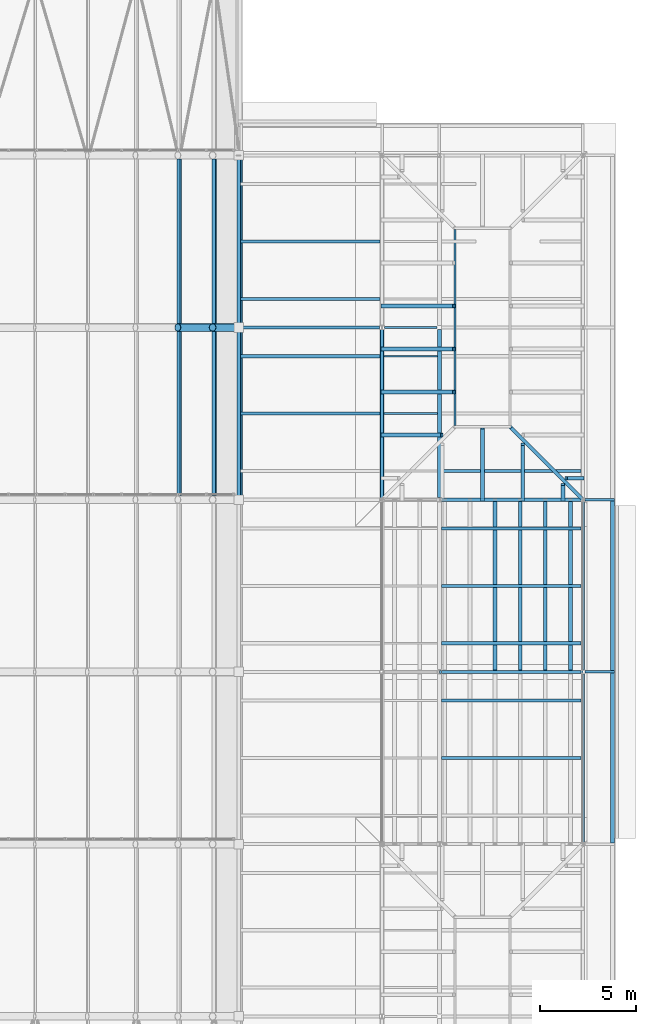
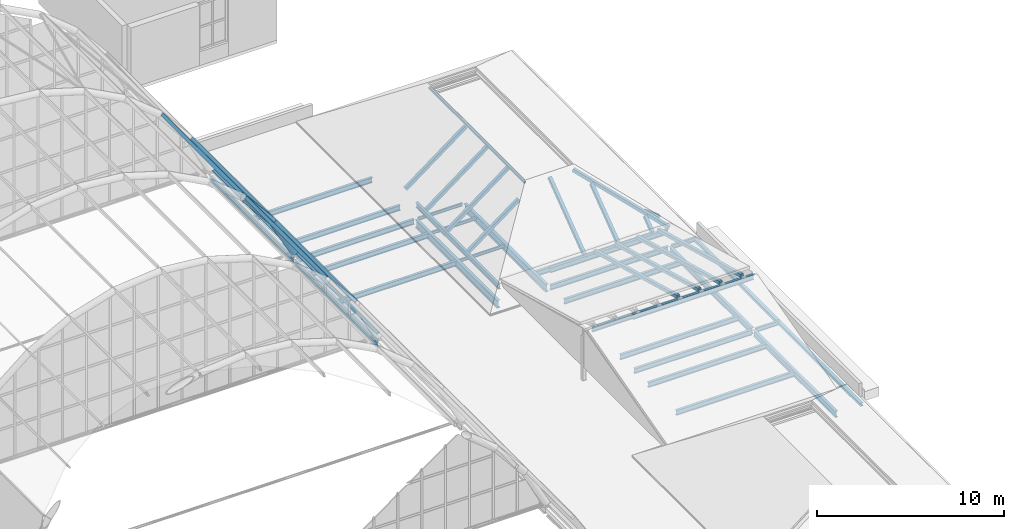
# One storey, part 46 of 121: 29 beams, 22 members.
"""IFC4 building model written with IfcOpenShell, lengths in metres."""

from ifc_helpers import new_model, si_unit, direction, frame, origin, origin_2d, place, context, subcontext, project, spatial, hollow_rectangle, hollow_circle, i_section, extrude, material, material_profile, profile_set, type_object, element, save


model = new_model("IFC4")

# Units and contexts
model_context = context("Model", 3, precision=1e-05, world=origin(), true_north=direction((0.0, 1.0)))
body_context = subcontext(model_context, "Body", "Model", "MODEL_VIEW")
ifc_project = project(units=[si_unit("LENGTHUNIT", "METRE"), si_unit("AREAUNIT", "SQUARE_METRE"), si_unit("VOLUMEUNIT", "CUBIC_METRE"), si_unit("PLANEANGLEUNIT", "RADIAN"), si_unit("MASSUNIT", "GRAM", prefix="KILO")], contexts=[model_context])

# Site, building, storey
site_placement = place(None, origin())
site = spatial("IfcSite", under=ifc_project, at=site_placement, CompositionType="ELEMENT")
building_placement = place(site_placement, origin())
building = spatial("IfcBuilding", under=site, at=building_placement, Name="Golden Quay Civic Hall", CompositionType="ELEMENT")
storey_placement = place(building_placement, frame((0.0, 0.0, 18.60009765625)))
storey = spatial("IfcBuildingStorey", under=building, at=storey_placement, Name="L04", CompositionType="ELEMENT", Elevation=18.60009765625)

# Beams
ifc_material_1 = material(Name="Steel S355", Category="steel")
ifc_material_profile_1 = material_profile(ifc_material_1, i_section(OverallWidth=0.199951171875, OverallDepth=0.18994140625, WebThickness=0.006591796875, FlangeThickness=0.010009765625, FilletRadius=0.01806640625, at=origin_2d()), Name="HEA 200")
ifc_profile_set_1 = profile_set([ifc_material_profile_1], Name="Steel S355")
beam_type_1 = type_object("IfcBeamType", Name="Eave edge beam HEA 200", PredefinedType="BEAM", material=ifc_profile_set_1)
for number, where, z_axis, x_axis, name in (
    (1, (118.550048828125, 18.0673828125, -0.34521484375), (0.0, 1.0, 0.0), (-1.0, 0.0, 0.0), "Eave edge beam HEA 200 L04 18"),
    (2, (118.550048828125, 27.0673828125, -0.34521484375), (0.0, 1.0, 0.0), (-1.0, 0.0, 0.0), "Eave edge beam HEA 200 L04 19"),
):
    element("IfcBeam", number, at=place(storey_placement, frame(where, z_axis=z_axis, x_axis=x_axis)), inside=storey, type_object=beam_type_1, Name=name, PredefinedType="BEAM", context=body_context, shape_type="SweptSolid", body=[
        extrude(i_section(OverallWidth=0.199951171875, OverallDepth=0.18994140625, WebThickness=0.006591796875, FlangeThickness=0.010009765625, FilletRadius=0.01806640625, at=origin_2d()), origin(), (0.0, 0.0, 1.0), 8.865234375),
    ])
ifc_material_2 = material(Name="Steel S355", Category="steel")
ifc_material_profile_2 = material_profile(ifc_material_2, i_section(OverallWidth=0.135009765625, OverallDepth=0.27001953125, WebThickness=0.006591796875, FlangeThickness=0.01025390625, FilletRadius=0.014892578125, at=origin_2d()), Name="IPE 270")
ifc_profile_set_2 = profile_set([ifc_material_profile_2], Name="Steel S355")
beam_type_2 = type_object("IfcBeamType", Name="Eave stub IPE 270", PredefinedType="BEAM", material=ifc_profile_set_2)
for number, where, z_axis, x_axis, name in (
    (3, (117.10009765625, 27.0, -0.385009765625), (1.0, 0.0, 0.0), (0.0, 1.0, 0.0), "Eave stub IPE 270 L04 23"),
    (4, (117.10009765625, 36.0, -0.385009765625), (1.0, 0.0, 0.0), (0.0, 1.0, 0.0), "Eave stub IPE 270 L04 24"),
):
    element("IfcBeam", number, at=place(storey_placement, frame(where, z_axis=z_axis, x_axis=x_axis)), inside=storey, type_object=beam_type_2, Name=name, PredefinedType="BEAM", context=body_context, shape_type="SweptSolid", body=[
        extrude(i_section(OverallWidth=0.135009765625, OverallDepth=0.27001953125, WebThickness=0.006591796875, FlangeThickness=0.01025390625, FilletRadius=0.014892578125, at=origin_2d()), origin(), (0.0, 0.0, 1.0), 1.5498046875),
    ])

# Members
ifc_material_3 = material(Name="Steel S355", Category="steel")
ifc_material_profile_3 = material_profile(ifc_material_3, hollow_circle(Radius=0.203125, WallThickness=0.01611328125, at=origin_2d()), Name="CHS 406.4x16")
ifc_profile_set_3 = profile_set([ifc_material_profile_3], Name="Steel S355")
member_type_1 = type_object("IfcMemberType", Name="Steel arch rib CHS 406.4x16", PredefinedType="USERDEFINED", material=ifc_profile_set_3)
for number, where, z_axis, x_axis, name in (
    (5, (95.826904296875, 45.0, 4.830810546875), (0.635608575128, 0.0, -0.772011489049), (0.0, 1.0, 0.0), "Arch rib 6 segment 11"),
    (6, (97.64599609375, 45.0, 2.621337890625), (0.473092307375, 0.0, -0.881012865231), (0.0, 1.0, 0.0), "Arch rib 6 segment 12"),
):
    element("IfcMember", number, at=place(storey_placement, frame(where, z_axis=z_axis, x_axis=x_axis)), inside=storey, type_object=member_type_1, Name=name, ObjectType="ARCH RIB", PredefinedType="USERDEFINED", context=body_context, shape_type="SweptSolid", body=[
        extrude(hollow_circle(Radius=0.203125, WallThickness=0.01611328125, at=origin_2d()), origin(), (0.0, 0.0, 1.0), 2.862060546875),
    ])

# Beams
ifc_material_4 = material(Name="Steel S355", Category="steel")
ifc_material_profile_4 = material_profile(ifc_material_4, i_section(OverallWidth=0.10009765625, OverallDepth=0.199951171875, WebThickness=0.005615234375, FlangeThickness=0.008544921875, FilletRadius=0.011962890625, at=origin_2d()), Name="IPE 200")
ifc_profile_set_4 = profile_set([ifc_material_profile_4], Name="Steel S355")
beam_type_3 = type_object("IfcBeamType", Name="Steel beam IPE 200", PredefinedType="BEAM", material=ifc_profile_set_4)
beam_1_placement = place(storey_placement, frame((106.6201171875, 45.0, -0.35009765625), z_axis=(1.0, 0.0, 0.0), x_axis=(0.0, 1.0, 0.0)))
element("IfcBeam", 7, at=beam_1_placement, inside=storey, type_object=beam_type_3, Name="Beam S45-106.5", PredefinedType="BEAM", context=body_context, shape_type="SweptSolid", body=[
    extrude(i_section(OverallWidth=0.10009765625, OverallDepth=0.199951171875, WebThickness=0.005615234375, FlangeThickness=0.008544921875, FilletRadius=0.011962890625, at=origin_2d()), origin(), (0.0, 0.0, 1.0), 2.759765625),
])
ifc_material_5 = material(Name="Steel S355", Category="steel")
ifc_material_profile_5 = material_profile(ifc_material_5, i_section(OverallWidth=0.159912109375, OverallDepth=0.330078125, WebThickness=0.007568359375, FlangeThickness=0.011474609375, FilletRadius=0.01806640625, at=origin_2d()), Name="IPE 330")
ifc_profile_set_5 = profile_set([ifc_material_profile_5], Name="Steel S355")
beam_type_4 = type_object("IfcBeamType", Name="Steel beam IPE 330", PredefinedType="BEAM", material=ifc_profile_set_5)
for number, where, z_axis, x_axis, name in (
    (8, (109.6201171875, 27.0, -0.4150390625), (1.0, 0.0, 0.0), (0.0, 1.0, 0.0), "Beam S27-109.5"),
    (9, (109.6201171875, 36.0, -0.4150390625), (1.0, 0.0, 0.0), (0.0, 1.0, 0.0), "Beam S36-109.5"),
    (10, (99.10009765625, 45.0, -0.4150390625), (1.0, 0.0, 0.0), (0.0, 1.0, 0.0), "Beam S45-99"),
):
    element("IfcBeam", number, at=place(storey_placement, frame(where, z_axis=z_axis, x_axis=x_axis)), inside=storey, type_object=beam_type_4, Name=name, PredefinedType="BEAM", context=body_context, shape_type="SweptSolid", body=[
        extrude(i_section(OverallWidth=0.159912109375, OverallDepth=0.330078125, WebThickness=0.007568359375, FlangeThickness=0.011474609375, FilletRadius=0.01806640625, at=origin_2d()), origin(), (0.0, 0.0, 1.0), 7.27978515625),
    ])
ifc_material_6 = material(Name="Steel S355", Category="steel")
ifc_material_profile_6 = material_profile(ifc_material_6, i_section(OverallWidth=0.179931640625, OverallDepth=0.39990234375, WebThickness=0.008544921875, FlangeThickness=0.013427734375, FilletRadius=0.02099609375, at=origin_2d()), Name="IPE 400")
ifc_profile_set_6 = profile_set([ifc_material_profile_6], Name="Steel S355")
beam_type_5 = type_object("IfcBeamType", Name="Steel beam IPE 400", PredefinedType="BEAM", material=ifc_profile_set_6)
for number, where, z_axis, x_axis, name in (
    (11, (99.0, 36.094970703125, -0.4501953125), (0.0, 1.0, 0.0), (-1.0, 0.0, 0.0), "Beam L99-36"),
    (12, (99.0, 45.094970703125, -0.4501953125), (0.0, 1.0, 0.0), (-1.0, 0.0, 0.0), "Beam L99-45"),
    (13, (117.0, 18.094970703125, -0.4501953125), (0.0, 1.0, 0.0), (-1.0, 0.0, 0.0), "Beam L117-18"),
    (14, (117.0, 27.094970703125, -0.4501953125), (0.0, 1.0, 0.0), (-1.0, 0.0, 0.0), "Beam L117-27"),
):
    element("IfcBeam", number, at=place(storey_placement, frame(where, z_axis=z_axis, x_axis=x_axis)), inside=storey, type_object=beam_type_5, Name=name, PredefinedType="BEAM", context=body_context, shape_type="SweptSolid", body=[
        extrude(i_section(OverallWidth=0.179931640625, OverallDepth=0.39990234375, WebThickness=0.008544921875, FlangeThickness=0.013427734375, FilletRadius=0.02099609375, at=origin_2d()), origin(), (0.0, 0.0, 1.0), 8.81005859375),
    ])
ifc_material_7 = material(Name="Steel S355", Category="steel")
ifc_material_profile_7 = material_profile(ifc_material_7, i_section(OverallWidth=0.199951171875, OverallDepth=0.5, WebThickness=0.01025390625, FlangeThickness=0.01611328125, FilletRadius=0.02099609375, at=origin_2d()), Name="IPE 500")
ifc_profile_set_7 = profile_set([ifc_material_profile_7], Name="Steel S355")
beam_type_6 = type_object("IfcBeamType", Name="Steel beam IPE 500", PredefinedType="BEAM", material=ifc_profile_set_7)
for number, where, z_axis, x_axis, name in (
    (15, (106.5, 36.114990234375, -0.5), (0.0, 1.0, 0.0), (-1.0, 0.0, 0.0), "Beam L106.5-36"),
    (16, (109.5, 36.114990234375, -0.5), (0.0, 1.0, 0.0), (-1.0, 0.0, 0.0), "Beam L109.5-36"),
):
    element("IfcBeam", number, at=place(storey_placement, frame(where, z_axis=z_axis, x_axis=x_axis)), inside=storey, type_object=beam_type_6, Name=name, PredefinedType="BEAM", context=body_context, shape_type="SweptSolid", body=[
        extrude(i_section(OverallWidth=0.199951171875, OverallDepth=0.5, WebThickness=0.01025390625, FlangeThickness=0.01611328125, FilletRadius=0.02099609375, at=origin_2d()), origin(), (0.0, 0.0, 1.0), 8.77001953125),
    ])

# Members
ifc_material_8 = material(Name="Steel S355", Category="steel")
ifc_material_profile_8 = material_profile(ifc_material_8, hollow_rectangle(XDim=0.199951171875, YDim=0.199951171875, WallThickness=0.010009765625, at=origin_2d()), Name="SHS 200x200x10")
ifc_profile_set_8 = profile_set([ifc_material_profile_8], Name="Steel S355")
member_type_2 = type_object("IfcMemberType", Name="Steel jack rafter SHS 200x200x10", PredefinedType="RAFTER", material=ifc_profile_set_8)
member_1_placement = place(storey_placement, frame((111.75, 36.0, 0.96484375), z_axis=(0.0, 0.8, 0.6), x_axis=(-1.0, 0.0, 0.0)))
element("IfcMember", 17, at=member_1_placement, inside=storey, type_object=member_type_2, Name="Jack rafter EM-N south 3", PredefinedType="RAFTER", context=body_context, shape_type="SweptSolid", body=[
    extrude(hollow_rectangle(XDim=0.199951171875, YDim=0.199951171875, WallThickness=0.010009765625, at=origin_2d()), origin(), (0.0, 0.0, 1.0), 4.6875),
])
member_2_placement = place(storey_placement, frame((113.85009765625, 36.0, 0.96484375), z_axis=(0.0, 0.799983835699, 0.600021551797), x_axis=(-1.0, 0.0, 0.0)))
element("IfcMember", 18, at=member_2_placement, inside=storey, type_object=member_type_2, Name="Jack rafter EM-N south 4", PredefinedType="RAFTER", context=body_context, shape_type="SweptSolid", body=[
    extrude(hollow_rectangle(XDim=0.199951171875, YDim=0.199951171875, WallThickness=0.010009765625, at=origin_2d()), origin(), (0.0, 0.0, 1.0), 3.625),
])
member_3_placement = place(storey_placement, frame((115.949951171875, 36.0, 0.96484375), z_axis=(0.0, 0.799970705032, 0.600039057971), x_axis=(-1.0, 0.0, 0.0)))
element("IfcMember", 19, at=member_3_placement, inside=storey, type_object=member_type_2, Name="Jack rafter EM-N south 5", PredefinedType="RAFTER", context=body_context, shape_type="SweptSolid", body=[
    extrude(hollow_rectangle(XDim=0.199951171875, YDim=0.199951171875, WallThickness=0.010009765625, at=origin_2d()), origin(), (0.0, 0.0, 1.0), 1.0),
])
member_4_placement = place(storey_placement, frame((106.5, 39.375, 0.96484375), z_axis=(0.8, 0.0, 0.6), x_axis=(0.0, 1.0, 0.0)))
element("IfcMember", 20, at=member_4_placement, inside=storey, type_object=member_type_2, Name="Jack rafter EM-N west 2", PredefinedType="RAFTER", context=body_context, shape_type="SweptSolid", body=[
    extrude(hollow_rectangle(XDim=0.199951171875, YDim=0.199951171875, WallThickness=0.010009765625, at=origin_2d()), origin(), (0.0, 0.0, 1.0), 3.90625),
])
for number, where, z_axis, x_axis, name in (
    (21, (106.5, 41.625, 0.96484375), (0.8, 0.0, 0.6), (0.0, 1.0, 0.0), "Jack rafter EM-N west 3"),
    (22, (106.5, 43.875, 0.96484375), (0.8, 0.0, 0.6), (0.0, 1.0, 0.0), "Jack rafter EM-N west 4"),
    (23, (106.5, 46.125, 0.96484375), (0.8, 0.0, 0.6), (0.0, 1.0, 0.0), "Jack rafter EM-N west 5"),
):
    element("IfcMember", number, at=place(storey_placement, frame(where, z_axis=z_axis, x_axis=x_axis)), inside=storey, type_object=member_type_2, Name=name, PredefinedType="RAFTER", context=body_context, shape_type="SweptSolid", body=[
        extrude(hollow_rectangle(XDim=0.199951171875, YDim=0.199951171875, WallThickness=0.010009765625, at=origin_2d()), origin(), (0.0, 0.0, 1.0), 4.6875),
    ])
member_5_placement = place(storey_placement, frame((117.0, 37.125, 0.96484375), z_axis=(-0.8, 0.0, 0.6), x_axis=(0.0, -1.0, 0.0)))
element("IfcMember", 24, at=member_5_placement, inside=storey, type_object=member_type_2, Name="Jack rafter EM-N east 1", PredefinedType="RAFTER", context=body_context, shape_type="SweptSolid", body=[
    extrude(hollow_rectangle(XDim=0.199951171875, YDim=0.199951171875, WallThickness=0.010009765625, at=origin_2d()), origin(), (0.0, 0.0, 1.0), 1.09375),
])
for number, where, z_axis, x_axis, name in (
    (25, (112.40625, 36.0, 0.988525390625), (0.0, -0.965021507217, 0.262170727977), (1.0, 0.0, 0.0), "Gable rafter north 5"),
    (26, (113.71875, 36.0, 0.988525390625), (0.0, -0.965021507217, 0.262170727977), (1.0, 0.0, 0.0), "Gable rafter north 6"),
    (27, (115.03125, 36.0, 0.988525390625), (0.0, -0.965021507217, 0.262170727977), (1.0, 0.0, 0.0), "Gable rafter north 7"),
    (28, (116.34375, 36.0, 0.988525390625), (0.0, -0.965021507217, 0.262170727977), (1.0, 0.0, 0.0), "Gable rafter north 8"),
):
    element("IfcMember", number, at=place(storey_placement, frame(where, z_axis=z_axis, x_axis=x_axis)), inside=storey, type_object=member_type_2, Name=name, PredefinedType="RAFTER", context=body_context, shape_type="SweptSolid", body=[
        extrude(hollow_rectangle(XDim=0.199951171875, YDim=0.199951171875, WallThickness=0.010009765625, at=origin_2d()), origin(), (0.0, 0.0, 1.0), 9.253662109375),
    ])

# Beams
ifc_material_9 = material(Name="Steel S355", Category="steel")
ifc_material_profile_9 = material_profile(ifc_material_9, i_section(OverallWidth=0.10009765625, OverallDepth=0.199951171875, WebThickness=0.005615234375, FlangeThickness=0.008544921875, FilletRadius=0.011962890625, at=origin_2d()), Name="IPE 200")
ifc_profile_set_9 = profile_set([ifc_material_profile_9], Name="Steel S355")
beam_type_7 = type_object("IfcBeamType", Name="Steel joist IPE 200", PredefinedType="JOIST", material=ifc_profile_set_9)
for number, where, z_axis, x_axis, name in (
    (29, (106.60009765625, 40.5, -0.35009765625), (1.0, 0.0, 0.0), (0.0, 1.0, 0.0), "Joist J40.5-106.5"),
    (30, (106.60009765625, 43.5, -0.35009765625), (1.0, 0.0, 0.0), (0.0, 1.0, 0.0), "Joist J43.5-106.5"),
):
    element("IfcBeam", number, at=place(storey_placement, frame(where, z_axis=z_axis, x_axis=x_axis)), inside=storey, type_object=beam_type_7, Name=name, PredefinedType="JOIST", context=body_context, shape_type="SweptSolid", body=[
        extrude(i_section(OverallWidth=0.10009765625, OverallDepth=0.199951171875, WebThickness=0.005615234375, FlangeThickness=0.008544921875, FilletRadius=0.011962890625, at=origin_2d()), origin(), (0.0, 0.0, 1.0), 2.7998046875),
    ])
ifc_material_10 = material(Name="Steel S355", Category="steel")
ifc_material_profile_10 = material_profile(ifc_material_10, i_section(OverallWidth=0.159912109375, OverallDepth=0.330078125, WebThickness=0.007568359375, FlangeThickness=0.011474609375, FilletRadius=0.01806640625, at=origin_2d()), Name="IPE 330")
ifc_profile_set_10 = profile_set([ifc_material_profile_10], Name="Steel S355")
beam_type_8 = type_object("IfcBeamType", Name="Steel joist IPE 330", PredefinedType="JOIST", material=ifc_profile_set_10)
for number, where, z_axis, x_axis, name in (
    (31, (109.60009765625, 22.5, -0.4150390625), (1.0, 0.0, 0.0), (0.0, 1.0, 0.0), "Joist J22.5-109.5"),
    (32, (109.60009765625, 25.5, -0.4150390625), (1.0, 0.0, 0.0), (0.0, 1.0, 0.0), "Joist J25.5-109.5"),
    (33, (109.60009765625, 28.5, -0.4150390625), (1.0, 0.0, 0.0), (0.0, 1.0, 0.0), "Joist J28.5-109.5"),
    (34, (109.60009765625, 31.5, -0.4150390625), (1.0, 0.0, 0.0), (0.0, 1.0, 0.0), "Joist J31.5-109.5"),
    (35, (109.60009765625, 34.5, -0.4150390625), (1.0, 0.0, 0.0), (0.0, 1.0, 0.0), "Joist J34.5-109.5"),
    (36, (109.60009765625, 37.5, -0.4150390625), (1.0, 0.0, 0.0), (0.0, 1.0, 0.0), "Joist J37.5-109.5"),
    (37, (99.090087890625, 40.5, -0.4150390625), (1.0, 0.0, 0.0), (0.0, 1.0, 0.0), "Joist J40.5-99"),
    (38, (99.090087890625, 43.5, -0.4150390625), (1.0, 0.0, 0.0), (0.0, 1.0, 0.0), "Joist J43.5-99"),
    (39, (99.090087890625, 46.5, -0.4150390625), (1.0, 0.0, 0.0), (0.0, 1.0, 0.0), "Joist J46.5-99"),
    (40, (99.090087890625, 49.5, -0.4150390625), (1.0, 0.0, 0.0), (0.0, 1.0, 0.0), "Joist J49.5-99"),
):
    element("IfcBeam", number, at=place(storey_placement, frame(where, z_axis=z_axis, x_axis=x_axis)), inside=storey, type_object=beam_type_8, Name=name, PredefinedType="JOIST", context=body_context, shape_type="SweptSolid", body=[
        extrude(i_section(OverallWidth=0.159912109375, OverallDepth=0.330078125, WebThickness=0.007568359375, FlangeThickness=0.011474609375, FilletRadius=0.01806640625, at=origin_2d()), origin(), (0.0, 0.0, 1.0), 7.309814453125),
    ])

# Members
ifc_material_11 = material(Name="Steel S355", Category="steel")
ifc_material_profile_11 = material_profile(ifc_material_11, hollow_rectangle(XDim=0.199951171875, YDim=0.199951171875, WallThickness=0.010009765625, at=origin_2d()), Name="SHS 200x200x10")
ifc_profile_set_11 = profile_set([ifc_material_profile_11], Name="Steel S355")
member_type_3 = type_object("IfcMemberType", Name="Steel pavilion hip rafter SHS 200x200x10", PredefinedType="RAFTER", material=ifc_profile_set_11)
member_6_placement = place(storey_placement, frame((117.0, 36.0, 0.92822265625), z_axis=(-0.625782928891, 0.625782928891, 0.465608689584), x_axis=(-0.707106781187, -0.707106781187, 0.0)))
element("IfcMember", 41, at=member_6_placement, inside=storey, type_object=member_type_3, Name="Hip rafter EM-N south-east", PredefinedType="RAFTER", context=body_context, shape_type="SweptSolid", body=[
    extrude(hollow_rectangle(XDim=0.199951171875, YDim=0.199951171875, WallThickness=0.010009765625, at=origin_2d()), origin(), (0.0, 0.0, 1.0), 6.04052734375),
])
ifc_material_12 = material(Name="Steel S355", Category="steel")
ifc_material_profile_12 = material_profile(ifc_material_12, hollow_rectangle(XDim=0.10009765625, YDim=0.199951171875, WallThickness=0.008056640625, at=origin_2d()), Name="RHS 200x100x8")
ifc_profile_set_12 = profile_set([ifc_material_profile_12], Name="Steel S355")
member_type_4 = type_object("IfcMemberType", Name="Steel purlin RHS 200x100x8", PredefinedType="PURLIN", material=ifc_profile_set_12)
for number, where, z_axis, x_axis, name in (
    (42, (95.89990234375, 36.203125, 4.90380859375), (0.0, 1.0, 0.0), (-0.708092289314, 0.0, 0.70611989762), "Purlin 5.11"),
    (43, (97.731689453125, 36.203125, 2.6787109375), (0.0, 1.0, 0.0), (-0.557018943033, 0.0, 0.830499787539), "Purlin 5.12"),
    (44, (99.09521484375, 36.203125, 0.1396484375), (0.0, 1.0, 0.0), (-0.384615384615, 0.0, 0.923076923077), "Purlin 5.13"),
    (45, (95.89990234375, 45.203125, 4.90380859375), (0.0, 1.0, 0.0), (-0.708092289314, 0.0, 0.70611989762), "Purlin 6.11"),
    (46, (97.731689453125, 45.203125, 2.6787109375), (0.0, 1.0, 0.0), (-0.557018943033, 0.0, 0.830499787539), "Purlin 6.12"),
    (47, (99.09521484375, 45.203125, 0.1396484375), (0.0, 1.0, 0.0), (-0.384615384615, 0.0, 0.923076923077), "Purlin 6.13"),
):
    element("IfcMember", number, at=place(storey_placement, frame(where, z_axis=z_axis, x_axis=x_axis)), inside=storey, type_object=member_type_4, Name=name, PredefinedType="PURLIN", context=body_context, shape_type="SweptSolid", body=[
        extrude(hollow_rectangle(XDim=0.10009765625, YDim=0.199951171875, WallThickness=0.008056640625, at=origin_2d()), origin(), (0.0, 0.0, 1.0), 8.59375),
    ])
ifc_material_13 = material(Name="Steel S355", Category="steel")
ifc_material_profile_13 = material_profile(ifc_material_13, hollow_rectangle(XDim=0.1201171875, YDim=0.1201171875, WallThickness=0.008056640625, at=origin_2d()), Name="SHS 120x120x8")
ifc_profile_set_13 = profile_set([ifc_material_profile_13], Name="Steel S355")
member_type_5 = type_object("IfcMemberType", Name="Steel roof purlin SHS 120x120x8", PredefinedType="PURLIN", material=ifc_profile_set_13)
member_7_placement = place(storey_placement, frame((110.31494140625, 39.8798828125, 3.84228515625), z_axis=(0.0, 1.0, 0.0), x_axis=(-1.0, 0.0, 0.0)))
element("IfcMember", 48, at=member_7_placement, inside=storey, type_object=member_type_5, Name="Cap purlin EM-N west", PredefinedType="PURLIN", context=body_context, shape_type="SweptSolid", body=[
    extrude(hollow_rectangle(XDim=0.1201171875, YDim=0.1201171875, WallThickness=0.008056640625, at=origin_2d()), origin(), (0.0, 0.0, 1.0), 10.240234375),
])

# Beams
ifc_material_14 = material(Name="Steel S355", Category="steel")
ifc_material_profile_14 = material_profile(ifc_material_14, i_section(OverallWidth=0.159912109375, OverallDepth=0.330078125, WebThickness=0.007568359375, FlangeThickness=0.011474609375, FilletRadius=0.01806640625, at=origin_2d()), Name="IPE 330")
ifc_profile_set_14 = profile_set([ifc_material_profile_14], Name="Steel S355")
beam_type_9 = type_object("IfcBeamType", Name="Steel roof ridge beam IPE 330", PredefinedType="BEAM", material=ifc_profile_set_14)
beam_2_placement = place(storey_placement, frame((109.5, 27.0, 3.164794921875), z_axis=(1.0, 0.0, 0.0), x_axis=(0.0, 1.0, 0.0)))
element("IfcBeam", 49, at=beam_2_placement, inside=storey, type_object=beam_type_9, Name="Gable ridge beam 2", PredefinedType="BEAM", context=body_context, shape_type="SweptSolid", body=[
    extrude(i_section(OverallWidth=0.159912109375, OverallDepth=0.330078125, WebThickness=0.007568359375, FlangeThickness=0.011474609375, FilletRadius=0.01806640625, at=origin_2d()), origin(), (0.0, 0.0, 1.0), 7.5),
])
ifc_material_15 = material(Name="Steel S355", Category="steel")
ifc_material_profile_15 = material_profile(ifc_material_15, i_section(OverallWidth=0.159912109375, OverallDepth=0.330078125, WebThickness=0.007568359375, FlangeThickness=0.011474609375, FilletRadius=0.01806640625, at=origin_2d()), Name="IPE 330")
ifc_profile_set_15 = profile_set([ifc_material_profile_15], Name="Steel S355")
beam_type_10 = type_object("IfcBeamType", Name="Steel wall plate beam IPE 330", PredefinedType="BEAM", material=ifc_profile_set_15)
beam_3_placement = place(storey_placement, frame((109.6201171875, 36.0, 0.719970703125), z_axis=(1.0, 0.0, 0.0), x_axis=(0.0, 1.0, 0.0)))
element("IfcBeam", 50, at=beam_3_placement, inside=storey, type_object=beam_type_10, Name="Wall plate beam EM-N S2", PredefinedType="BEAM", context=body_context, shape_type="SweptSolid", body=[
    extrude(i_section(OverallWidth=0.159912109375, OverallDepth=0.330078125, WebThickness=0.007568359375, FlangeThickness=0.011474609375, FilletRadius=0.01806640625, at=origin_2d()), origin(), (0.0, 0.0, 1.0), 7.2998046875),
])
beam_4_placement = place(storey_placement, frame((106.5, 36.0, 0.719970703125), z_axis=(0.0, 1.0, 0.0), x_axis=(-1.0, 0.0, 0.0)))
element("IfcBeam", 51, at=beam_4_placement, inside=storey, type_object=beam_type_10, Name="Wall plate beam EM-N W1", PredefinedType="BEAM", context=body_context, shape_type="SweptSolid", body=[
    extrude(i_section(OverallWidth=0.159912109375, OverallDepth=0.330078125, WebThickness=0.007568359375, FlangeThickness=0.011474609375, FilletRadius=0.01806640625, at=origin_2d()), origin(), (0.0, 0.0, 1.0), 8.885009765625),
])

save(model, "model.ifc")
